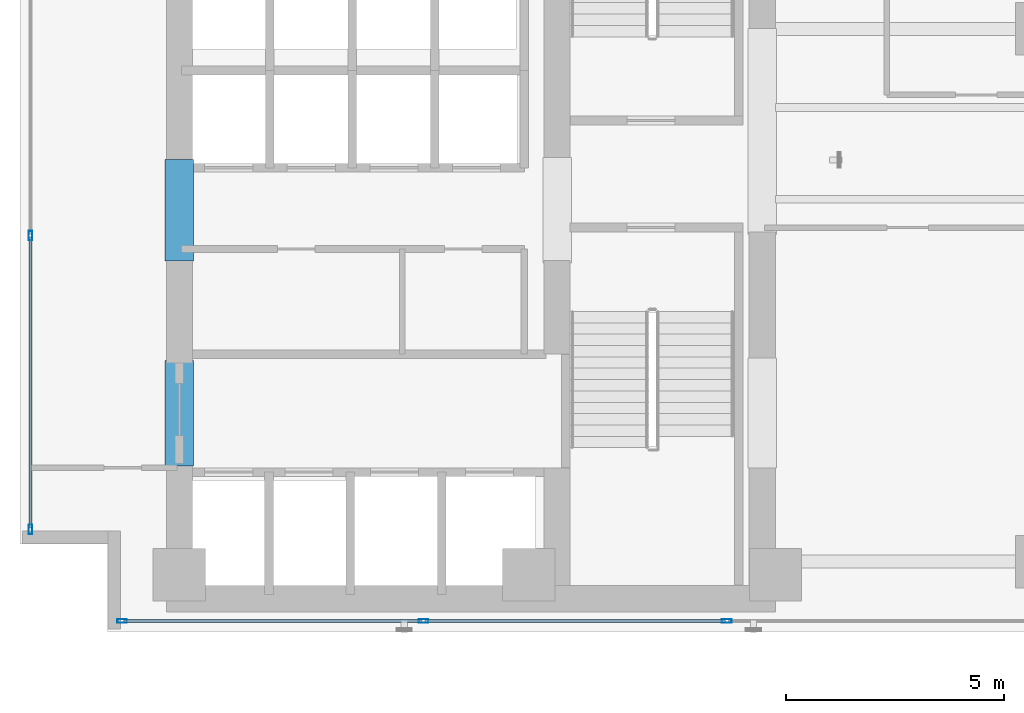
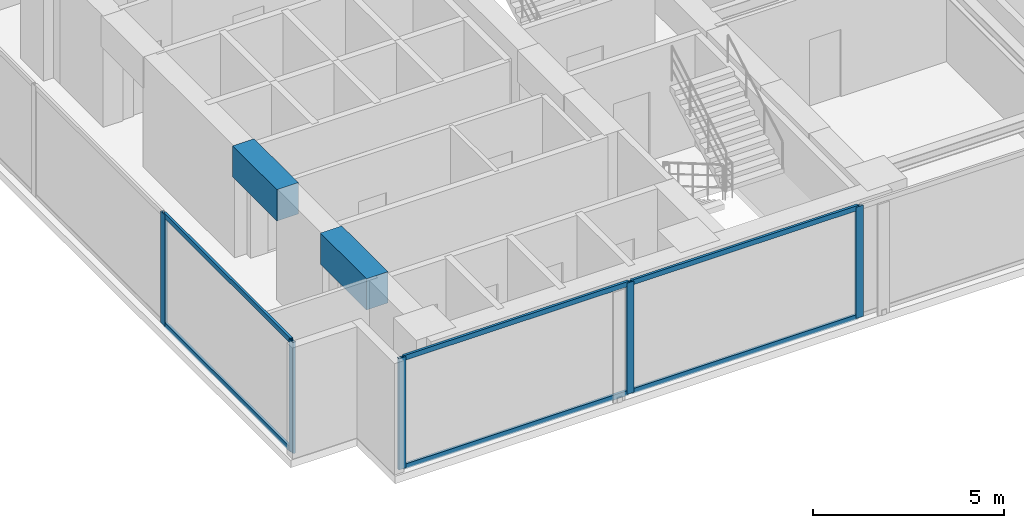
# One storey, part 2 of 26: 11 members, 2 beams, 2 elements without a shape of their own.
"""IFC4 building model written with IfcOpenShell, lengths in metres."""

from ifc_helpers import new_model, si_unit, direction, frame, origin, origin_with_axes, origin_2d, place, context, subcontext, project, spatial, rectangle, hollow_rectangle, extrude, source, transform, mapped, material, layer, layer_set, material_profile, profile_set, type_object, element, aggregate, save


model = new_model("IFC4")

# Units and contexts
model_context = context("Model", 3, precision=1e-05, world=origin(), true_north=direction((0.0, 1.0)))
body_context = subcontext(model_context, "Body", "Model", "MODEL_VIEW")
ifc_project = project(units=[si_unit("LENGTHUNIT", "METRE"), si_unit("AREAUNIT", "SQUARE_METRE"), si_unit("VOLUMEUNIT", "CUBIC_METRE"), si_unit("PLANEANGLEUNIT", "RADIAN"), si_unit("MASSUNIT", "GRAM", prefix="KILO")], contexts=[model_context])

# Site, building, storey
site_placement = place(None, origin())
site = spatial("IfcSite", under=ifc_project, at=site_placement, CompositionType="ELEMENT")
building_placement = place(site_placement, origin())
building = spatial("IfcBuilding", under=site, at=building_placement, Name="Kolvaren Waterfront Exchange", CompositionType="ELEMENT")
storey_placement = place(building_placement, frame((0.0, 0.0, 150.0)))
storey = spatial("IfcBuildingStorey", under=building, at=storey_placement, Name="L38", CompositionType="ELEMENT", Elevation=150.0)

# Beams
ifc_material_1 = material(Name="Concrete C60/75", Category="concrete")
ifc_material_profile_1 = material_profile(ifc_material_1, rectangle(XDim=0.64990234375, YDim=1.0, at=origin_2d()), Name="RC-CB-1000x650")
ifc_profile_set_1 = profile_set([ifc_material_profile_1], Name="Concrete C60/75")
beam_type = type_object("IfcBeamType", Name="STR-CB-1000", PredefinedType="SPANDREL", material=ifc_profile_set_1)
beam_1_placement = place(storey_placement, frame((7.449951171875, 7.389892578125, 3.06005859375), z_axis=(0.0, 1.0, 0.0), x_axis=(-1.0, 0.0, 0.0)))
element("IfcBeam", 1, at=beam_1_placement, inside=storey, type_object=beam_type, Name="L38 core coupling beam 3", PredefinedType="SPANDREL", context=body_context, shape_type="SweptSolid", body=[
    extrude(rectangle(XDim=0.64990234375, YDim=1.0, at=origin_2d()), origin(), (0.0, 0.0, 1.0), 2.420166015625),
])
beam_2_placement = place(storey_placement, frame((7.449951171875, 12.090087890625, 3.06005859375), z_axis=(0.0, 1.0, 0.0), x_axis=(-1.0, 0.0, 0.0)))
element("IfcBeam", 2, at=beam_2_placement, inside=storey, type_object=beam_type, Name="L38 core coupling beam 4", PredefinedType="SPANDREL", context=body_context, shape_type="SweptSolid", body=[
    extrude(rectangle(XDim=0.64990234375, YDim=1.0, at=origin_2d()), origin(), (0.0, 0.0, 1.0), 2.31982421875),
])

# Curtain wall, members
ifc_material_2 = material(Name="Anodised bronze aluminium 6063-T6", Category="aluminium")
ifc_layer_1 = layer(ifc_material_2, 0.219970703125, Name="Anodised bronze aluminium 6063-T6")
ifc_layer_set_1 = layer_set([ifc_layer_1], Name="Anodised bronze aluminium 6063-T6")
curtain_wall_type_1 = type_object("IfcCurtainWallType", Name="ARC-CW-SYS1", PredefinedType="USERDEFINED", material=ifc_layer_set_1)
curtain_wall_1_placement = place(storey_placement, origin())
curtain_wall_1 = element("IfcCurtainWall", 3, at=curtain_wall_1_placement, inside=storey, type_object=curtain_wall_type_1, Name="L38 stick curtain wall CW1 (CW-L38-S)", ObjectType="STICK CURTAIN WALL", PredefinedType="USERDEFINED")
ifc_material_3 = material(Name="Anodised aluminium 6063-T6", Category="aluminium")
ifc_material_profile_2 = material_profile(ifc_material_3, hollow_rectangle(XDim=0.080078125, YDim=0.219970703125, WallThickness=0.0048828125, at=origin_2d()), Name="ALU-MUL-220x80x5")
ifc_profile_set_2 = profile_set([ifc_material_profile_2], Name="Anodised aluminium 6063-T6")
member_type_1 = type_object("IfcMemberType", Name="ARC-CWM-220", PredefinedType="MULLION", material=ifc_profile_set_2)
shared_shape_1 = source(origin_with_axes(), body_context, "Body", "SweptSolid", [
    extrude(hollow_rectangle(XDim=0.080078125, YDim=0.219970703125, WallThickness=0.0048828125, at=origin_2d()), origin(), (0.0, 0.0, 1.0), 3.56005859375),
])
member_1_placement = place(storey_placement, frame((6.139892578125, 3.840087890625, 0.0), z_axis=(0.0, 0.0, 1.0), x_axis=(0.0, 1.0, 0.0)))
member_1 = element("IfcMember", 4, at=member_1_placement, type_object=member_type_1, Name="CW1 mullion 1", PredefinedType="MULLION", context=body_context, shape_type="MappedRepresentation", body=[
    mapped(shared_shape_1, transform((0.0, 0.0, 0.0), x_axis=(1.0, 0.0, 0.0), y_axis=(0.0, 1.0, 0.0), z_axis=(0.0, 0.0, 1.0), scale=1.0)),
])
member_2_placement = place(storey_placement, frame((13.04296875, 3.840087890625, 0.0), z_axis=(0.0, 0.0, 1.0), x_axis=(0.0, 1.0, 0.0)))
member_2 = element("IfcMember", 5, at=member_2_placement, type_object=member_type_1, Name="CW1 mullion 2", PredefinedType="MULLION", context=body_context, shape_type="MappedRepresentation", body=[
    mapped(shared_shape_1, transform((0.0, 0.0, 0.0), x_axis=(1.0, 0.0, 0.0), y_axis=(0.0, 1.0, 0.0), z_axis=(0.0, 0.0, 1.0), scale=1.0)),
])
member_3_placement = place(storey_placement, frame((19.985595703125, 3.840087890625, 0.0), z_axis=(0.0, 0.0, 1.0), x_axis=(0.0, 1.0, 0.0)))
member_3 = element("IfcMember", 6, at=member_3_placement, type_object=member_type_1, Name="CW1 mullion 3", PredefinedType="MULLION", context=body_context, shape_type="MappedRepresentation", body=[
    mapped(shared_shape_1, transform((0.0, 0.0, 0.0), x_axis=(1.0, 0.0, 0.0), y_axis=(0.0, 1.0, 0.0), z_axis=(0.0, 0.0, 1.0), scale=1.0)),
])

ifc_layer_2 = layer(ifc_material_3, 0.219970703125, Name="Anodised aluminium 6063-T6")
ifc_layer_set_2 = layer_set([ifc_layer_2], Name="Anodised aluminium 6063-T6")
curtain_wall_type_2 = type_object("IfcCurtainWallType", Name="ARC-CW-SYS2", PredefinedType="USERDEFINED", material=ifc_layer_set_2)
curtain_wall_2_placement = place(storey_placement, origin())
curtain_wall_2 = element("IfcCurtainWall", 7, at=curtain_wall_2_placement, inside=storey, type_object=curtain_wall_type_2, Name="L38 stick curtain wall CW2 (CW-L38-W)", ObjectType="STICK CURTAIN WALL", PredefinedType="USERDEFINED")
member_4_placement = place(storey_placement, frame((4.0400390625, 5.93994140625, 0.0), z_axis=(0.0, 0.0, 1.0), x_axis=(-1.0, 0.0, 0.0)))
member_4 = element("IfcMember", 8, at=member_4_placement, type_object=member_type_1, Name="CW2 mullion 1", PredefinedType="MULLION", context=body_context, shape_type="MappedRepresentation", body=[
    mapped(shared_shape_1, transform((0.0, 0.0, 0.0), x_axis=(1.0, 0.0, 0.0), y_axis=(0.0, 1.0, 0.0), z_axis=(0.0, 0.0, 1.0), scale=1.0)),
])
member_5_placement = place(storey_placement, frame((4.0400390625, 12.666748046875, 0.0), z_axis=(0.0, 0.0, 1.0), x_axis=(-1.0, 0.0, 0.0)))
member_5 = element("IfcMember", 9, at=member_5_placement, type_object=member_type_1, Name="CW2 mullion 2", PredefinedType="MULLION", context=body_context, shape_type="MappedRepresentation", body=[
    mapped(shared_shape_1, transform((0.0, 0.0, 0.0), x_axis=(1.0, 0.0, 0.0), y_axis=(0.0, 1.0, 0.0), z_axis=(0.0, 0.0, 1.0), scale=1.0)),
])

# Member
ifc_material_profile_3 = material_profile(ifc_material_3, hollow_rectangle(XDim=0.074951171875, YDim=0.159912109375, WallThickness=0.00439453125, at=origin_2d()), Name="ALU-TRN-160x75x4.5")
ifc_profile_set_3 = profile_set([ifc_material_profile_3], Name="Anodised aluminium 6063-T6")
member_type_2 = type_object("IfcMemberType", Name="ARC-CWT-160", PredefinedType="USERDEFINED", material=ifc_profile_set_3)
shared_shape_2 = source(origin_with_axes(), body_context, "Body", "SweptSolid", [
    extrude(hollow_rectangle(XDim=0.074951171875, YDim=0.159912109375, WallThickness=0.00439453125, at=origin_2d()), origin(), (0.0, 0.0, 1.0), 6.822998046875),
])
member_6_placement = place(storey_placement, frame((6.179931640625, 3.840087890625, 0.03759765625), z_axis=(1.0, 0.0, 0.0), x_axis=(0.0, 1.0, 0.0)))
member_6 = element("IfcMember", 10, at=member_6_placement, type_object=member_type_2, Name="CW1 transom 1.1", ObjectType="TRANSOM", PredefinedType="USERDEFINED", context=body_context, shape_type="MappedRepresentation", body=[
    mapped(shared_shape_2, transform((0.0, 0.0, 0.0), x_axis=(1.0, 0.0, 0.0), y_axis=(0.0, 1.0, 0.0), z_axis=(0.0, 0.0, 1.0), scale=1.0)),
])

member_7_placement = place(storey_placement, frame((6.179931640625, 3.840087890625, 3.5224609375), z_axis=(1.0, 0.0, 0.0), x_axis=(0.0, 1.0, 0.0)))
member_7 = element("IfcMember", 11, at=member_7_placement, type_object=member_type_2, Name="CW1 transom 1.2", ObjectType="TRANSOM", PredefinedType="USERDEFINED", context=body_context, shape_type="MappedRepresentation", body=[
    mapped(shared_shape_2, transform((0.0, 0.0, 0.0), x_axis=(1.0, 0.0, 0.0), y_axis=(0.0, 1.0, 0.0), z_axis=(0.0, 0.0, 1.0), scale=1.0)),
])

shared_shape_3 = source(origin_with_axes(), body_context, "Body", "SweptSolid", [
    extrude(hollow_rectangle(XDim=0.074951171875, YDim=0.159912109375, WallThickness=0.00439453125, at=origin_2d()), origin(), (0.0, 0.0, 1.0), 6.863037109375),
])
member_8_placement = place(storey_placement, frame((13.082763671875, 3.840087890625, 0.03759765625), z_axis=(1.0, 0.0, 0.0), x_axis=(0.0, 1.0, 0.0)))
member_8 = element("IfcMember", 12, at=member_8_placement, type_object=member_type_2, Name="CW1 transom 2.1", ObjectType="TRANSOM", PredefinedType="USERDEFINED", context=body_context, shape_type="MappedRepresentation", body=[
    mapped(shared_shape_3, transform((0.0, 0.0, 0.0), x_axis=(1.0, 0.0, 0.0), y_axis=(0.0, 1.0, 0.0), z_axis=(0.0, 0.0, 1.0), scale=1.0)),
])

member_9_placement = place(storey_placement, frame((13.082763671875, 3.840087890625, 3.5224609375), z_axis=(1.0, 0.0, 0.0), x_axis=(0.0, 1.0, 0.0)))
member_9 = element("IfcMember", 13, at=member_9_placement, type_object=member_type_2, Name="CW1 transom 2.2", ObjectType="TRANSOM", PredefinedType="USERDEFINED", context=body_context, shape_type="MappedRepresentation", body=[
    mapped(shared_shape_3, transform((0.0, 0.0, 0.0), x_axis=(1.0, 0.0, 0.0), y_axis=(0.0, 1.0, 0.0), z_axis=(0.0, 0.0, 1.0), scale=1.0)),
])

aggregate(curtain_wall_1, [member_1, member_2, member_3, member_6, member_7, member_8, member_9])

shared_shape_4 = source(origin_with_axes(), body_context, "Body", "SweptSolid", [
    extrude(hollow_rectangle(XDim=0.074951171875, YDim=0.159912109375, WallThickness=0.00439453125, at=origin_2d()), origin(), (0.0, 0.0, 1.0), 6.646728515625),
])
member_10_placement = place(storey_placement, frame((4.0400390625, 5.97998046875, 0.03759765625), z_axis=(0.0, 1.0, 0.0), x_axis=(-1.0, 0.0, 0.0)))
member_10 = element("IfcMember", 14, at=member_10_placement, type_object=member_type_2, Name="CW2 transom 1.1", ObjectType="TRANSOM", PredefinedType="USERDEFINED", context=body_context, shape_type="MappedRepresentation", body=[
    mapped(shared_shape_4, transform((0.0, 0.0, 0.0), x_axis=(1.0, 0.0, 0.0), y_axis=(0.0, 1.0, 0.0), z_axis=(0.0, 0.0, 1.0), scale=1.0)),
])

member_11_placement = place(storey_placement, frame((4.0400390625, 5.97998046875, 3.5224609375), z_axis=(0.0, 1.0, 0.0), x_axis=(-1.0, 0.0, 0.0)))
member_11 = element("IfcMember", 15, at=member_11_placement, type_object=member_type_2, Name="CW2 transom 1.2", ObjectType="TRANSOM", PredefinedType="USERDEFINED", context=body_context, shape_type="MappedRepresentation", body=[
    mapped(shared_shape_4, transform((0.0, 0.0, 0.0), x_axis=(1.0, 0.0, 0.0), y_axis=(0.0, 1.0, 0.0), z_axis=(0.0, 0.0, 1.0), scale=1.0)),
])

aggregate(curtain_wall_2, [member_4, member_5, member_10, member_11])

save(model, "model.ifc")
